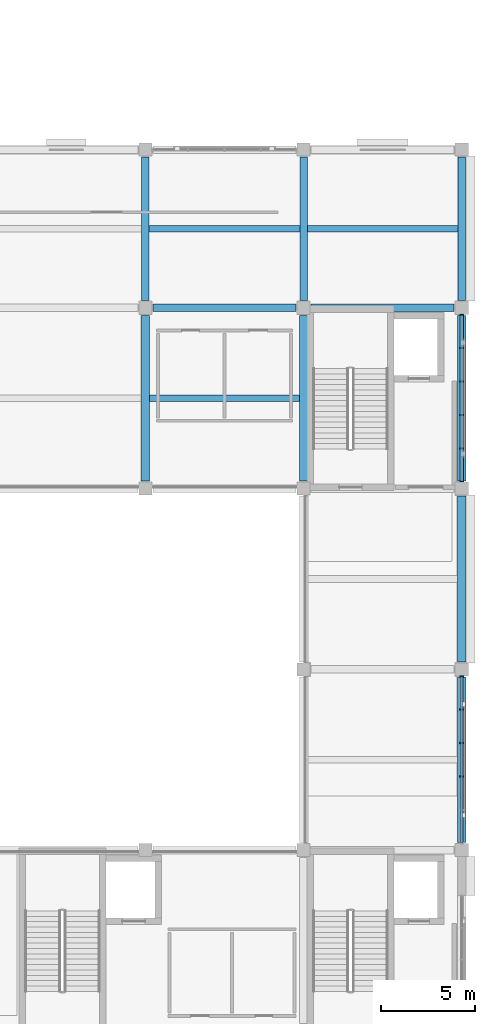
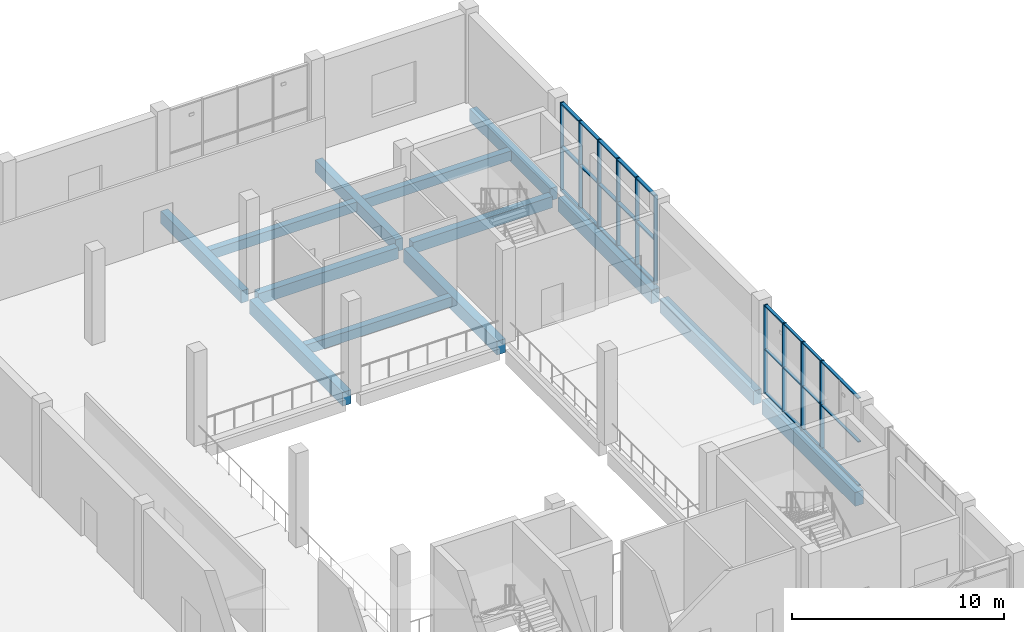
# One storey, part 39 of 83: 16 members, 13 beams, 2 elements without a shape of their own.
"""IFC4 building model written with IfcOpenShell, lengths in metres."""

from ifc_helpers import new_model, si_unit, direction, frame, origin, origin_2d, place, context, subcontext, project, spatial, rectangle, extrude, material, material_profile, profile_set, type_object, element, aggregate, save


model = new_model("IFC4")

# Units and contexts
model_context = context("Model", 3, precision=1e-05, world=origin(), true_north=direction((0.0, 1.0)))
body_context = subcontext(model_context, "Body", "Model", "MODEL_VIEW")
ifc_project = project(units=[si_unit("LENGTHUNIT", "METRE"), si_unit("AREAUNIT", "SQUARE_METRE"), si_unit("VOLUMEUNIT", "CUBIC_METRE"), si_unit("PLANEANGLEUNIT", "RADIAN"), si_unit("MASSUNIT", "GRAM", prefix="KILO")], contexts=[model_context])

# Site, building, storey
site_placement = place(None, origin())
site = spatial("IfcSite", under=ifc_project, at=site_placement, CompositionType="ELEMENT")
building_placement = place(site_placement, origin())
building = spatial("IfcBuilding", under=site, at=building_placement, Name="Shalvenor Court Art Gallery", CompositionType="ELEMENT")
storey_placement = place(building_placement, frame((0.0, 0.0, 6.0)))
storey = spatial("IfcBuildingStorey", under=building, at=storey_placement, Name="L01", CompositionType="ELEMENT", Elevation=6.0)

# Beams
ifc_material_1 = material(Name="Concrete C40/50", Category="concrete")
ifc_material_profile_1 = material_profile(ifc_material_1, rectangle(XDim=0.449951171875, YDim=0.800048828125, at=origin_2d()), Name="RC 450x800")
ifc_profile_set_1 = profile_set([ifc_material_profile_1], Name="Concrete C40/50")
beam_type_1 = type_object("IfcBeamType", Name="B-03", PredefinedType="BEAM", material=ifc_profile_set_1)
for number, where, z_axis, x_axis, name in (
    (1, (159.60009765625, 79.60009765625, -0.719970703125), (0.0, 1.0, 0.0), (-1.0, 0.0, 0.0), "L01 Girder BM-L01-B-03-0473"),
    (2, (168.0, 79.60009765625, -0.719970703125), (0.0, 1.0, 0.0), (-1.0, 0.0, 0.0), "L01 Girder BM-L01-B-03-0479"),
):
    element("IfcBeam", number, at=place(storey_placement, frame(where, z_axis=z_axis, x_axis=x_axis)), inside=storey, type_object=beam_type_1, Name=name, PredefinedType="BEAM", context=body_context, shape_type="SweptSolid", body=[
        extrude(rectangle(XDim=0.449951171875, YDim=0.800048828125, at=origin_2d()), origin(), (0.0, 0.0, 1.0), 8.7998046875),
    ])
for number, where, z_axis, x_axis, name in (
    (3, (176.39990234375, 60.39990234375, -0.719970703125), (0.0, 1.0, 0.0), (-1.0, 0.0, 0.0), "L01 Girder BM-L01-B-03-0483"),
    (4, (176.39990234375, 70.0, -0.719970703125), (0.0, 1.0, 0.0), (-1.0, 0.0, 0.0), "L01 Girder BM-L01-B-03-0484"),
):
    element("IfcBeam", number, at=place(storey_placement, frame(where, z_axis=z_axis, x_axis=x_axis)), inside=storey, type_object=beam_type_1, Name=name, PredefinedType="BEAM", context=body_context, shape_type="SweptSolid", body=[
        extrude(rectangle(XDim=0.449951171875, YDim=0.800048828125, at=origin_2d()), origin(), (0.0, 0.0, 1.0), 8.800048828125),
    ])
beam_1_placement = place(storey_placement, frame((176.39990234375, 79.60009765625, -0.719970703125), z_axis=(0.0, 1.0, 0.0), x_axis=(-1.0, 0.0, 0.0)))
element("IfcBeam", 5, at=beam_1_placement, inside=storey, type_object=beam_type_1, Name="L01 Girder BM-L01-B-03-0485", PredefinedType="BEAM", context=body_context, shape_type="SweptSolid", body=[
    extrude(rectangle(XDim=0.449951171875, YDim=0.800048828125, at=origin_2d()), origin(), (0.0, 0.0, 1.0), 8.7998046875),
])
ifc_material_2 = material(Name="Concrete C40/50", Category="concrete")
ifc_material_profile_2 = material_profile(ifc_material_2, rectangle(XDim=0.39990234375, YDim=0.699951171875, at=origin_2d()), Name="RC 400x700")
ifc_profile_set_2 = profile_set([ifc_material_profile_2], Name="Concrete C40/50")
beam_type_2 = type_object("IfcBeamType", Name="B-05", PredefinedType="BEAM", material=ifc_profile_set_2)
for number, where, z_axis, x_axis, name in (
    (6, (159.60009765625, 89.199951171875, -0.669921875), (0.0, 1.0, 0.0), (-1.0, 0.0, 0.0), "L01 Girder BM-L01-B-05-0474"),
    (7, (168.0, 89.199951171875, -0.669921875), (0.0, 1.0, 0.0), (-1.0, 0.0, 0.0), "L01 Girder BM-L01-B-05-0480"),
    (8, (176.39990234375, 89.199951171875, -0.669921875), (0.0, 1.0, 0.0), (-1.0, 0.0, 0.0), "L01 Girder BM-L01-B-05-0486"),
):
    element("IfcBeam", number, at=place(storey_placement, frame(where, z_axis=z_axis, x_axis=x_axis)), inside=storey, type_object=beam_type_2, Name=name, PredefinedType="BEAM", context=body_context, shape_type="SweptSolid", body=[
        extrude(rectangle(XDim=0.39990234375, YDim=0.699951171875, at=origin_2d()), origin(), (0.0, 0.0, 1.0), 7.60009765625),
    ])
ifc_material_3 = material(Name="Concrete C40/50", Category="concrete")
ifc_material_profile_3 = material_profile(ifc_material_3, rectangle(XDim=0.39990234375, YDim=0.64990234375, at=origin_2d()), Name="RC 400x650")
ifc_profile_set_3 = profile_set([ifc_material_profile_3], Name="Concrete C40/50")
beam_type_3 = type_object("IfcBeamType", Name="B-06", PredefinedType="BEAM", material=ifc_profile_set_3)
for number, where, z_axis, x_axis, name in (
    (9, (160.0, 88.800048828125, -0.64501953125), (1.0, 0.0, 0.0), (0.0, 1.0, 0.0), "L01 Girder BM-L01-B-06-0579"),
    (10, (168.39990234375, 88.800048828125, -0.64501953125), (1.0, 0.0, 0.0), (0.0, 1.0, 0.0), "L01 Girder BM-L01-B-06-0580"),
):
    element("IfcBeam", number, at=place(storey_placement, frame(where, z_axis=z_axis, x_axis=x_axis)), inside=storey, type_object=beam_type_3, Name=name, PredefinedType="BEAM", context=body_context, shape_type="SweptSolid", body=[
        extrude(rectangle(XDim=0.39990234375, YDim=0.64990234375, at=origin_2d()), origin(), (0.0, 0.0, 1.0), 7.60009765625),
    ])

# Curtain wall, members
ifc_material_4 = material(Name="Anodised aluminium and low-iron glass curtain wall", Category="aluminium")
curtain_wall_type_1 = type_object("IfcCurtainWallType", Name="CW-5x2-89-51-242", PredefinedType="USERDEFINED", material=ifc_material_4)
curtain_wall_1_placement = place(storey_placement, origin())
curtain_wall_1 = element("IfcCurtainWall", 11, at=curtain_wall_1_placement, inside=storey, type_object=curtain_wall_type_1, Name="L01 V1 Curtain Wall CW-L01-005", ObjectType="CURTAIN WALL", PredefinedType="USERDEFINED")
ifc_material_5 = material(Name="Anodised aluminium mullion", Category="aluminium")
ifc_material_profile_4 = material_profile(ifc_material_5, rectangle(XDim=0.070068359375, YDim=0.199951171875, at=origin_2d()), Name="CWM-02")
ifc_profile_set_4 = profile_set([ifc_material_profile_4], Name="Anodised aluminium mullion")
member_type_1 = type_object("IfcMemberType", Name="CWM-02", PredefinedType="MULLION", material=ifc_profile_set_4)
member_1_placement = place(storey_placement, frame((176.39990234375, 88.4150390625, 0.0), z_axis=(0.0, 0.0, 1.0), x_axis=(0.0, -1.0, 0.0)))
member_1 = element("IfcMember", 12, at=member_1_placement, type_object=member_type_1, Name="CW-5x2-89-51-242 mullion 1", PredefinedType="MULLION", context=body_context, shape_type="SweptSolid", body=[
    extrude(rectangle(XDim=0.070068359375, YDim=0.199951171875, at=origin_2d()), origin(), (0.0, 0.0, 1.0), 5.080078125),
])
member_2_placement = place(storey_placement, frame((176.39990234375, 86.669921875, 0.0), z_axis=(0.0, 0.0, 1.0), x_axis=(0.0, -1.0, 0.0)))
member_2 = element("IfcMember", 13, at=member_2_placement, type_object=member_type_1, Name="CW-5x2-89-51-242 mullion 2", PredefinedType="MULLION", context=body_context, shape_type="SweptSolid", body=[
    extrude(rectangle(XDim=0.070068359375, YDim=0.199951171875, at=origin_2d()), origin(), (0.0, 0.0, 1.0), 5.080078125),
])
member_3_placement = place(storey_placement, frame((176.39990234375, 84.889892578125, 0.0), z_axis=(0.0, 0.0, 1.0), x_axis=(0.0, -1.0, 0.0)))
member_3 = element("IfcMember", 14, at=member_3_placement, type_object=member_type_1, Name="CW-5x2-89-51-242 mullion 3", PredefinedType="MULLION", context=body_context, shape_type="SweptSolid", body=[
    extrude(rectangle(XDim=0.070068359375, YDim=0.199951171875, at=origin_2d()), origin(), (0.0, 0.0, 1.0), 5.080078125),
])
member_4_placement = place(storey_placement, frame((176.39990234375, 83.110107421875, 0.0), z_axis=(0.0, 0.0, 1.0), x_axis=(0.0, -1.0, 0.0)))
member_4 = element("IfcMember", 15, at=member_4_placement, type_object=member_type_1, Name="CW-5x2-89-51-242 mullion 4", PredefinedType="MULLION", context=body_context, shape_type="SweptSolid", body=[
    extrude(rectangle(XDim=0.070068359375, YDim=0.199951171875, at=origin_2d()), origin(), (0.0, 0.0, 1.0), 5.080078125),
])
member_5_placement = place(storey_placement, frame((176.39990234375, 81.330078125, 0.0), z_axis=(0.0, 0.0, 1.0), x_axis=(0.0, -1.0, 0.0)))
member_5 = element("IfcMember", 16, at=member_5_placement, type_object=member_type_1, Name="CW-5x2-89-51-242 mullion 5", PredefinedType="MULLION", context=body_context, shape_type="SweptSolid", body=[
    extrude(rectangle(XDim=0.070068359375, YDim=0.199951171875, at=origin_2d()), origin(), (0.0, 0.0, 1.0), 5.080078125),
])
member_6_placement = place(storey_placement, frame((176.39990234375, 79.5849609375, 0.0), z_axis=(0.0, 0.0, 1.0), x_axis=(0.0, -1.0, 0.0)))
member_6 = element("IfcMember", 17, at=member_6_placement, type_object=member_type_1, Name="CW-5x2-89-51-242 mullion 6", PredefinedType="MULLION", context=body_context, shape_type="SweptSolid", body=[
    extrude(rectangle(XDim=0.070068359375, YDim=0.199951171875, at=origin_2d()), origin(), (0.0, 0.0, 1.0), 5.080078125),
])

ifc_material_6 = material(Name="Anodised aluminium and low-iron glass curtain wall", Category="aluminium")
curtain_wall_type_2 = type_object("IfcCurtainWallType", Name="CW-5x2-89-51-412", PredefinedType="USERDEFINED", material=ifc_material_6)
curtain_wall_2_placement = place(storey_placement, origin())
curtain_wall_2 = element("IfcCurtainWall", 18, at=curtain_wall_2_placement, inside=storey, type_object=curtain_wall_type_2, Name="L01 V1 Curtain Wall CW-L01-006", ObjectType="CURTAIN WALL", PredefinedType="USERDEFINED")
ifc_material_7 = material(Name="Anodised aluminium mullion", Category="aluminium")
ifc_material_profile_5 = material_profile(ifc_material_7, rectangle(XDim=0.074951171875, YDim=0.219970703125, at=origin_2d()), Name="CWM-04")
ifc_profile_set_5 = profile_set([ifc_material_profile_5], Name="Anodised aluminium mullion")
member_type_2 = type_object("IfcMemberType", Name="CWM-04", PredefinedType="MULLION", material=ifc_profile_set_5)
member_7_placement = place(storey_placement, frame((176.39990234375, 69.21240234375, 0.0), z_axis=(0.0, 0.0, 1.0), x_axis=(0.0, -1.0, 0.0)))
member_7 = element("IfcMember", 19, at=member_7_placement, type_object=member_type_2, Name="CW-5x2-89-51-412 mullion 1", PredefinedType="MULLION", context=body_context, shape_type="SweptSolid", body=[
    extrude(rectangle(XDim=0.074951171875, YDim=0.219970703125, at=origin_2d()), origin(), (0.0, 0.0, 1.0), 5.080078125),
])
member_8_placement = place(storey_placement, frame((176.39990234375, 67.469970703125, 0.0), z_axis=(0.0, 0.0, 1.0), x_axis=(0.0, -1.0, 0.0)))
member_8 = element("IfcMember", 20, at=member_8_placement, type_object=member_type_2, Name="CW-5x2-89-51-412 mullion 2", PredefinedType="MULLION", context=body_context, shape_type="SweptSolid", body=[
    extrude(rectangle(XDim=0.074951171875, YDim=0.219970703125, at=origin_2d()), origin(), (0.0, 0.0, 1.0), 5.080078125),
])
member_9_placement = place(storey_placement, frame((176.39990234375, 65.68994140625, 0.0), z_axis=(0.0, 0.0, 1.0), x_axis=(0.0, -1.0, 0.0)))
member_9 = element("IfcMember", 21, at=member_9_placement, type_object=member_type_2, Name="CW-5x2-89-51-412 mullion 3", PredefinedType="MULLION", context=body_context, shape_type="SweptSolid", body=[
    extrude(rectangle(XDim=0.074951171875, YDim=0.219970703125, at=origin_2d()), origin(), (0.0, 0.0, 1.0), 5.080078125),
])
member_10_placement = place(storey_placement, frame((176.39990234375, 63.909912109375, 0.0), z_axis=(0.0, 0.0, 1.0), x_axis=(0.0, -1.0, 0.0)))
member_10 = element("IfcMember", 22, at=member_10_placement, type_object=member_type_2, Name="CW-5x2-89-51-412 mullion 4", PredefinedType="MULLION", context=body_context, shape_type="SweptSolid", body=[
    extrude(rectangle(XDim=0.074951171875, YDim=0.219970703125, at=origin_2d()), origin(), (0.0, 0.0, 1.0), 5.080078125),
])
ifc_material_8 = material(Name="Anodised aluminium transom", Category="aluminium")
ifc_material_profile_6 = material_profile(ifc_material_8, rectangle(XDim=0.14990234375, YDim=0.06005859375, at=origin_2d()), Name="CWT-01")
ifc_profile_set_6 = profile_set([ifc_material_profile_6], Name="Anodised aluminium transom")
member_type_3 = type_object("IfcMemberType", Name="CWT-01", PredefinedType="USERDEFINED", material=ifc_profile_set_6)
member_11_placement = place(storey_placement, frame((176.39990234375, 69.21240234375, 0.030029296875), z_axis=(0.0, -1.0, 0.0), x_axis=(1.0, 0.0, 0.0)))
member_11 = element("IfcMember", 23, at=member_11_placement, type_object=member_type_3, Name="CW-5x2-89-51-412 transom 1", ObjectType="TRANSOM", PredefinedType="USERDEFINED", context=body_context, shape_type="SweptSolid", body=[
    extrude(rectangle(XDim=0.14990234375, YDim=0.06005859375, at=origin_2d()), origin(), (0.0, 0.0, 1.0), 8.824951171875),
])
member_12_placement = place(storey_placement, frame((176.39990234375, 69.21240234375, 2.5400390625), z_axis=(0.0, -1.0, 0.0), x_axis=(1.0, 0.0, 0.0)))
member_12 = element("IfcMember", 24, at=member_12_placement, type_object=member_type_3, Name="CW-5x2-89-51-412 transom 2", ObjectType="TRANSOM", PredefinedType="USERDEFINED", context=body_context, shape_type="SweptSolid", body=[
    extrude(rectangle(XDim=0.14990234375, YDim=0.06005859375, at=origin_2d()), origin(), (0.0, 0.0, 1.0), 8.824951171875),
])
member_13_placement = place(storey_placement, frame((176.39990234375, 69.21240234375, 5.050048828125), z_axis=(0.0, -1.0, 0.0), x_axis=(1.0, 0.0, 0.0)))
member_13 = element("IfcMember", 25, at=member_13_placement, type_object=member_type_3, Name="CW-5x2-89-51-412 transom 3", ObjectType="TRANSOM", PredefinedType="USERDEFINED", context=body_context, shape_type="SweptSolid", body=[
    extrude(rectangle(XDim=0.14990234375, YDim=0.06005859375, at=origin_2d()), origin(), (0.0, 0.0, 1.0), 8.824951171875),
])
aggregate(curtain_wall_2, [member_7, member_8, member_9, member_10, member_11, member_12, member_13])

# Member
ifc_material_9 = material(Name="Anodised aluminium transom", Category="aluminium")
ifc_material_profile_7 = material_profile(ifc_material_9, rectangle(XDim=0.18994140625, YDim=0.070068359375, at=origin_2d()), Name="CWT-04")
ifc_profile_set_7 = profile_set([ifc_material_profile_7], Name="Anodised aluminium transom")
member_type_4 = type_object("IfcMemberType", Name="CWT-04", PredefinedType="USERDEFINED", material=ifc_profile_set_7)
member_14_placement = place(storey_placement, frame((176.39990234375, 88.4150390625, 0.034912109375), z_axis=(0.0, -1.0, 0.0), x_axis=(1.0, 0.0, 0.0)))
member_14 = element("IfcMember", 26, at=member_14_placement, type_object=member_type_4, Name="CW-5x2-89-51-242 transom 1", ObjectType="TRANSOM", PredefinedType="USERDEFINED", context=body_context, shape_type="SweptSolid", body=[
    extrude(rectangle(XDim=0.18994140625, YDim=0.070068359375, at=origin_2d()), origin(), (0.0, 0.0, 1.0), 8.830078125),
])

member_15_placement = place(storey_placement, frame((176.39990234375, 88.4150390625, 2.5400390625), z_axis=(0.0, -1.0, 0.0), x_axis=(1.0, 0.0, 0.0)))
member_15 = element("IfcMember", 27, at=member_15_placement, type_object=member_type_4, Name="CW-5x2-89-51-242 transom 2", ObjectType="TRANSOM", PredefinedType="USERDEFINED", context=body_context, shape_type="SweptSolid", body=[
    extrude(rectangle(XDim=0.18994140625, YDim=0.070068359375, at=origin_2d()), origin(), (0.0, 0.0, 1.0), 8.830078125),
])

member_16_placement = place(storey_placement, frame((176.39990234375, 88.4150390625, 5.044921875), z_axis=(0.0, -1.0, 0.0), x_axis=(1.0, 0.0, 0.0)))
member_16 = element("IfcMember", 28, at=member_16_placement, type_object=member_type_4, Name="CW-5x2-89-51-242 transom 3", ObjectType="TRANSOM", PredefinedType="USERDEFINED", context=body_context, shape_type="SweptSolid", body=[
    extrude(rectangle(XDim=0.18994140625, YDim=0.070068359375, at=origin_2d()), origin(), (0.0, 0.0, 1.0), 8.830078125),
])

aggregate(curtain_wall_1, [member_1, member_2, member_3, member_4, member_5, member_6, member_14, member_15, member_16])

# Beams
ifc_material_10 = material(Name="Concrete C40/50", Category="concrete")
ifc_material_profile_8 = material_profile(ifc_material_10, rectangle(XDim=0.35009765625, YDim=0.550048828125, at=origin_2d()), Name="RC 350x550")
ifc_profile_set_8 = profile_set([ifc_material_profile_8], Name="Concrete C40/50")
beam_type_4 = type_object("IfcBeamType", Name="J-02", PredefinedType="JOIST", material=ifc_profile_set_8)
beam_2_placement = place(storey_placement, frame((159.824951171875, 84.0, -0.594970703125), z_axis=(1.0, 0.0, 0.0), x_axis=(0.0, 1.0, 0.0)))
element("IfcBeam", 29, at=beam_2_placement, inside=storey, type_object=beam_type_4, Name="L01 Secondary Beam JST-L01-J-02-0681", PredefinedType="JOIST", context=body_context, shape_type="SweptSolid", body=[
    extrude(rectangle(XDim=0.35009765625, YDim=0.550048828125, at=origin_2d()), origin(), (0.0, 0.0, 1.0), 7.949951171875),
])
for number, where, z_axis, x_axis, name in (
    (30, (159.800048828125, 93.0, -0.594970703125), (1.0, 0.0, 0.0), (0.0, 1.0, 0.0), "L01 Secondary Beam JST-L01-J-02-0682"),
    (31, (168.199951171875, 93.0, -0.594970703125), (1.0, 0.0, 0.0), (0.0, 1.0, 0.0), "L01 Secondary Beam JST-L01-J-02-0686"),
):
    element("IfcBeam", number, at=place(storey_placement, frame(where, z_axis=z_axis, x_axis=x_axis)), inside=storey, type_object=beam_type_4, Name=name, PredefinedType="JOIST", context=body_context, shape_type="SweptSolid", body=[
        extrude(rectangle(XDim=0.35009765625, YDim=0.550048828125, at=origin_2d()), origin(), (0.0, 0.0, 1.0), 8.0),
    ])

save(model, "model.ifc")
